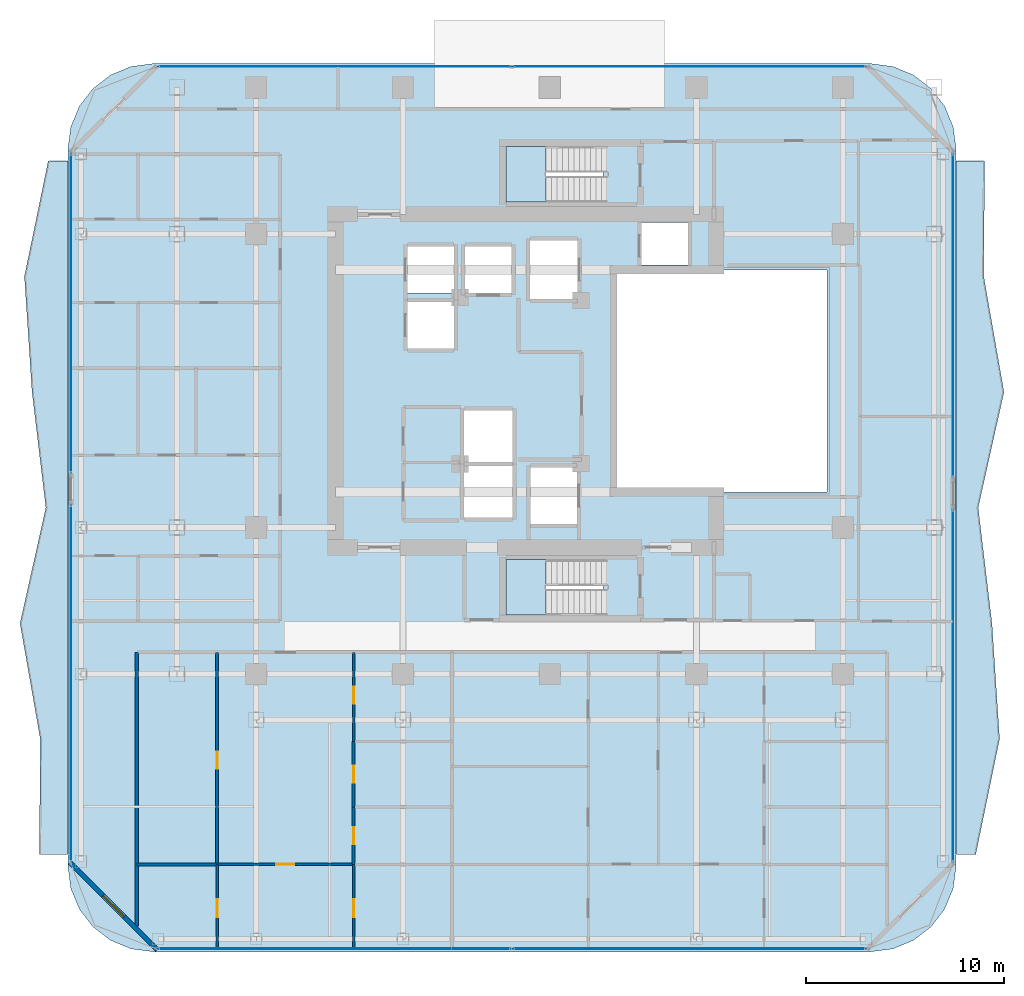
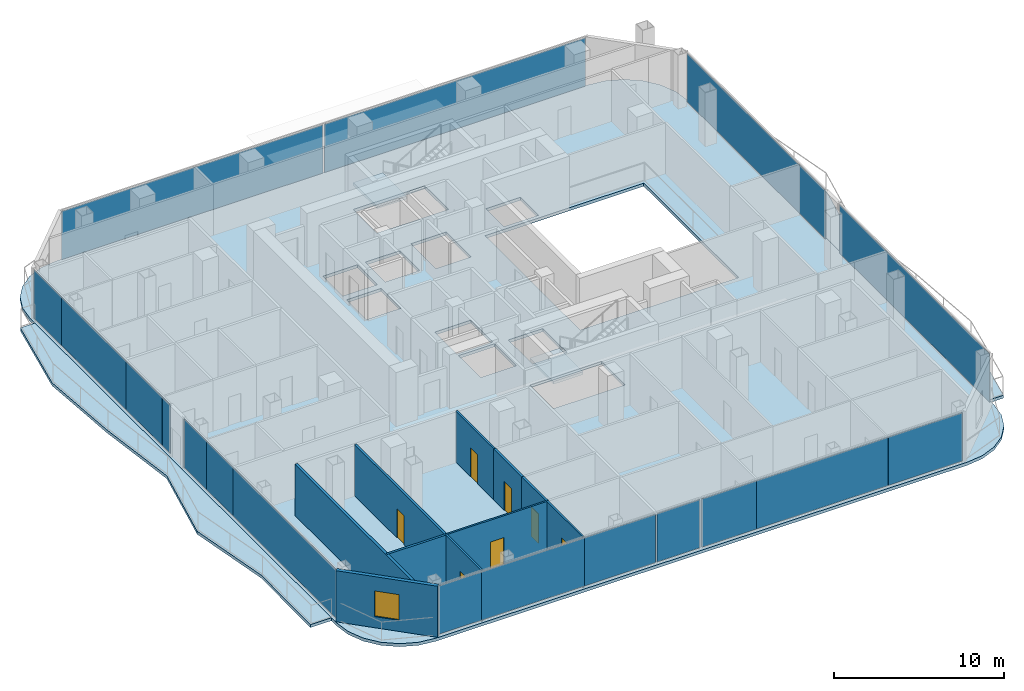
# One storey, part 16 of 23: 18 plates, 10 walls, 7 doors, 5 slabs, 1 window, 8 openings, 8 elements without a shape of their own.
"""IFC4 building model written with IfcOpenShell, lengths in metres."""

import ifcopenshell
import ifcopenshell.guid

model = None  # the IFC model being written
_history = None  # IfcOwnerHistory: only IFC2X3 demands one
_inside = {}  # id of a spatial element -> (the spatial element, [elements in it])
_under = {}  # id of a project, library or spatial element -> (it, [spatial elements below it])
_declared = {}  # id of a project -> (the project, [libraries it declares])
_typed = {}  # id of a type object -> (the type object, [elements of that type])
_made_of = {}  # id of a material, layer set ... -> (it, [elements and type objects made of it])


def new_model(schema):
    """Start an empty IFC model of exactly this schema.

    Asked for "IFC4X3", IfcOpenShell would pick the latest addendum, in which some entities
    have other attributes; the version numbers below select the first issue.
    IFC2X3 requires an IfcOwnerHistory on every rooted entity: one is made here for all.
    """
    global model, _history
    if schema == "IFC4X3":
        model = ifcopenshell.file(schema_version=(4, 3, 0, 0))
    else:
        model = ifcopenshell.file(schema=schema)
    _inside.clear()
    _under.clear()
    _declared.clear()
    _typed.clear()
    _made_of.clear()
    _history = None
    if model.schema == "IFC2X3":
        org = make("IfcOrganization", Name="unknown")
        user = make(
            "IfcPersonAndOrganization",
            ThePerson=make("IfcPerson", FamilyName="unknown"),
            TheOrganization=org,
        )
        app = make(
            "IfcApplication",
            ApplicationDeveloper=org,
            Version="unknown",
            ApplicationFullName="unknown",
            ApplicationIdentifier="unknown",
        )
        _history = make(
            "IfcOwnerHistory",
            OwningUser=user,
            OwningApplication=app,
            ChangeAction="ADDED",
            CreationDate=0,
        )
    return model


def make(cls, **values):
    """One entity of the class cls with the attributes given. An attribute that is None is left unset."""
    return model.create_entity(
        cls, **{name: value for name, value in values.items() if value is not None}
    )


def rooted(cls, **values):
    """An entity with a GlobalId (a new one), such as an element, a storey or a relation."""
    return make(cls, GlobalId=ifcopenshell.guid.new(), OwnerHistory=_history, **values)


def si_unit(unit_type, name, prefix=None):
    """IfcSIUnit, for example si_unit("LENGTHUNIT", "METRE", prefix="MILLI")."""
    return make("IfcSIUnit", UnitType=unit_type, Prefix=prefix, Name=name)


def assignment(units):
    """IfcUnitAssignment: the units of a project."""
    return None if units is None else make("IfcUnitAssignment", Units=units)


def point(xyz):
    """IfcCartesianPoint."""
    return None if xyz is None else make("IfcCartesianPoint", Coordinates=xyz)


def direction(xyz):
    """IfcDirection."""
    return None if xyz is None else make("IfcDirection", DirectionRatios=xyz)


def frame(location, z_axis=None, x_axis=None):
    """IfcAxis2Placement3D, a coordinate frame: its origin and axes. An axis left out is left unset."""
    return make(
        "IfcAxis2Placement3D",
        Location=point(location),
        Axis=direction(z_axis),
        RefDirection=direction(x_axis),
    )


def frame_2d(location, x_axis=None):
    """IfcAxis2Placement2D, a coordinate frame in the plane: its origin and x axis."""
    return make(
        "IfcAxis2Placement2D", Location=point(location), RefDirection=direction(x_axis)
    )


def origin():
    """The frame at (0, 0, 0) with its axes left unset."""
    return frame((0.0, 0.0, 0.0))


def origin_2d():
    """The frame at (0, 0) in the plane with its x axis left unset."""
    return frame_2d((0.0, 0.0))


def place(relative_to, where):
    """IfcLocalPlacement: puts the frame where relative to a parent placement (None: the world)."""
    return make(
        "IfcLocalPlacement", PlacementRelTo=relative_to, RelativePlacement=where
    )


def context(
    kind, dimensions, precision=None, world=None, true_north=None, identifier=None
):
    """IfcGeometricRepresentationContext, for example the 3D "Model" context."""
    return make(
        "IfcGeometricRepresentationContext",
        ContextIdentifier=identifier,
        ContextType=kind,
        CoordinateSpaceDimension=dimensions,
        Precision=precision,
        WorldCoordinateSystem=world,
        TrueNorth=true_north,
    )


def subcontext(parent, identifier, kind, view, scale=None):
    """IfcGeometricRepresentationSubContext, for example "Body" below "Model"."""
    return make(
        "IfcGeometricRepresentationSubContext",
        ContextIdentifier=identifier,
        ContextType=kind,
        ParentContext=parent,
        TargetScale=scale,
        TargetView=view,
    )


def project(units=None, contexts=None):
    """IfcProject with its units and contexts."""
    return rooted(
        "IfcProject",
        Name="project",
        RepresentationContexts=contexts,
        UnitsInContext=assignment(units),
    )


def spatial(cls, under=None, at=None, **own):
    """A site, building, storey or space (cls), placed at a placement, below another one or the project."""
    s = rooted(cls, ObjectPlacement=at, **own)
    if under is not None:
        _under.setdefault(under.id(), (under, []))[1].append(s)
    return s


def polyline(points):
    """IfcPolyline through the points."""
    return make("IfcPolyline", Points=[point(p) for p in points])


def profile(cls, at=None, kind="AREA", **sizes):
    """A parametric profile (cls). Its sizes go by their IFC names, for example OverallWidth=200.0."""
    return make(cls, ProfileType=kind, Position=at, **sizes)


def rectangle(**sizes):
    """IfcRectangleProfileDef."""
    return profile("IfcRectangleProfileDef", **sizes)


def outline(outer, holes=None, kind="AREA"):
    """IfcArbitraryClosedProfileDef: a profile drawn as a closed curve; with holes, ...WithVoids."""
    if holes is None:
        return make("IfcArbitraryClosedProfileDef", ProfileType=kind, OuterCurve=outer)
    return make(
        "IfcArbitraryProfileDefWithVoids",
        ProfileType=kind,
        OuterCurve=outer,
        InnerCurves=holes,
    )


def extrude(swept, where, along, depth):
    """IfcExtrudedAreaSolid: the profile swept, set in the frame where, extruded along a direction by depth."""
    return make(
        "IfcExtrudedAreaSolid",
        SweptArea=swept,
        Position=where,
        ExtrudedDirection=direction(along),
        Depth=depth,
    )


def shape(context_of_items, identifier, shape_type, items):
    """IfcShapeRepresentation: the items that make up one representation, for example the "Body"."""
    return make(
        "IfcShapeRepresentation",
        ContextOfItems=context_of_items,
        RepresentationIdentifier=identifier,
        RepresentationType=shape_type,
        Items=items,
    )


def material(Name=None, Category=None):
    """IfcMaterial."""
    return make("IfcMaterial", Name=Name, Category=Category)


def layer(
    of_material, thickness, ventilated=None, Name=None, Category=None, Priority=None
):
    """IfcMaterialLayer: one layer of a wall or slab, of a material (None: an air gap)."""
    return make(
        "IfcMaterialLayer",
        Material=of_material,
        LayerThickness=thickness,
        IsVentilated=ventilated,
        Name=Name,
        Category=Category,
        Priority=Priority,
    )


def layer_set(layers, Name=None):
    """IfcMaterialLayerSet."""
    return make("IfcMaterialLayerSet", MaterialLayers=layers, LayerSetName=Name)


def made_of(thing, what):
    """Note that an element or type object is made of a material, layer set ...; save() writes the relation."""
    if what is not None:
        _made_of.setdefault(what.id(), (what, []))[1].append(thing)
    return thing


def type_object(cls, material=None, **own):
    """A type object (cls), such as IfcWallType, which elements share."""
    return made_of(rooted(cls, **own), material)


def element(
    cls,
    number,
    at=None,
    inside=None,
    cuts=None,
    type_object=None,
    material=None,
    context=None,
    identifier="Body",
    shape_type=None,
    held_by="IfcProductDefinitionShape",
    body=None,
    shapes=None,
    **own,
):
    """One element of the class cls, such as IfcWall. Its Tag is "e" and its number.

    at: its placement. inside: the storey or other place that contains it. cuts: it is an
    opening in that element (IfcRelVoidsElement). A single representation is given by context,
    identifier, shape_type and body (its items); several are given by shapes. held_by: the class
    of the entity that holds the representations. save() writes the other relations.
    """
    e = rooted(cls, Tag="e%d" % number, ObjectPlacement=at, **own)
    if body is not None:
        shapes = [shape(context, identifier, shape_type, body)]
    if shapes is not None:
        e.Representation = make(held_by, Representations=shapes)
    if inside is not None:
        _inside.setdefault(inside.id(), (inside, []))[1].append(e)
    if cuts is not None:
        rooted(
            "IfcRelVoidsElement", RelatingBuildingElement=cuts, RelatedOpeningElement=e
        )
    if type_object is not None:
        _typed.setdefault(type_object.id(), (type_object, []))[1].append(e)
    return made_of(e, material)


def fill(opening, filler):
    """IfcRelFillsElement: the door or window that sits in an opening."""
    return rooted(
        "IfcRelFillsElement",
        RelatingOpeningElement=opening,
        RelatedBuildingElement=filler,
    )


def aggregate(whole, parts):
    """IfcRelAggregates: a whole, such as a stair, and the parts it consists of."""
    return rooted("IfcRelAggregates", RelatingObject=whole, RelatedObjects=parts)


def save(model, path):
    """Write the relations noted so far, then the file.

    IfcRelAggregates (storeys below a building ...), IfcRelContainedInSpatialStructure (elements
    in a storey), IfcRelDefinesByType, IfcRelAssociatesMaterial and IfcRelDeclares: one each for
    every whole, place, type object, material and project.
    """
    for whole, parts in _under.values():
        aggregate(whole, parts)
    for where, things in _inside.values():
        rooted(
            "IfcRelContainedInSpatialStructure",
            RelatedElements=things,
            RelatingStructure=where,
        )
    for kind, things in _typed.values():
        rooted("IfcRelDefinesByType", RelatedObjects=things, RelatingType=kind)
    for what, things in _made_of.values():
        rooted("IfcRelAssociatesMaterial", RelatedObjects=things, RelatingMaterial=what)
    for by, libraries in _declared.values():
        rooted("IfcRelDeclares", RelatingContext=by, RelatedDefinitions=libraries)
    model.write(path)


model = new_model("IFC4")

# Units and contexts
model_context = context("Model", 3, precision=1e-05, world=origin(), true_north=direction((0.0, 1.0)))
body_context = subcontext(model_context, "Body", "Model", "MODEL_VIEW")
ifc_project = project(units=[si_unit("LENGTHUNIT", "METRE"), si_unit("AREAUNIT", "SQUARE_METRE"), si_unit("VOLUMEUNIT", "CUBIC_METRE"), si_unit("PLANEANGLEUNIT", "RADIAN"), si_unit("MASSUNIT", "GRAM", prefix="KILO")], contexts=[model_context])

# Site, building, storey
site_placement = place(None, origin())
site = spatial("IfcSite", under=ifc_project, at=site_placement, CompositionType="ELEMENT")
building_placement = place(site_placement, origin())
building = spatial("IfcBuilding", under=site, at=building_placement, Name="Khorvyn Point Tower", CompositionType="ELEMENT")
storey_placement = place(building_placement, frame((0.0, 0.0, 195.300048828125)))
storey = spatial("IfcBuildingStorey", under=building, at=storey_placement, Name="L48", CompositionType="ELEMENT", Elevation=195.300048828125)

# Slabs
ifc_material_1 = material(Name="Concrete C35/45", Category="concrete")
ifc_layer_1 = layer(ifc_material_1, 0.219970703125)
ifc_layer_set_1 = layer_set([ifc_layer_1], Name="Concrete C35/45 Structural Floor Slab 220")
slab_type_1 = type_object("IfcSlabType", Name="Concrete C35/45 Structural Floor Slab 220", PredefinedType="FLOOR", material=ifc_layer_set_1)
slab_1_placement = place(storey_placement, frame((0.0, 0.0, -0.219970703125)))
element("IfcSlab", 1, at=slab_1_placement, inside=storey, type_object=slab_type_1, Name="L48 Main Structural Floor Slab", PredefinedType="FLOOR", context=body_context, shape_type="SweptSolid", body=[
    extrude(outline(polyline([(-20.0, -28.800048828125), (-21.11279296875, -28.653564453125), (-22.14990234375, -28.223876953125), (-23.04052734375, -27.54052734375), (-23.723876953125, -26.64990234375), (-24.153564453125, -25.61279296875), (-24.300048828125, -24.5), (-24.300048828125, 11.699951171875), (-24.153564453125, 12.81298828125), (-23.723876953125, 13.85009765625), (-23.04052734375, 14.740478515625), (-22.14990234375, 15.423828125), (-21.11279296875, 15.853515625), (-20.0, 16.0), (16.199951171875, 16.0), (17.31298828125, 15.853515625), (18.35009765625, 15.423828125), (19.240478515625, 14.740478515625), (19.923828125, 13.85009765625), (20.353515625, 12.81298828125), (20.5, 11.699951171875), (20.5, -24.5), (20.353515625, -25.61279296875), (19.923828125, -26.64990234375), (19.240478515625, -27.54052734375), (18.35009765625, -28.223876953125), (17.31298828125, -28.653564453125), (16.199951171875, -28.800048828125), (-20.0, -28.800048828125)]), holes=[polyline([(-1.875, -6.89990234375), (-1.875, -4.300048828125), (-4.324951171875, -4.300048828125), (-4.324951171875, -6.89990234375), (-1.875, -6.89990234375)]), polyline([(-1.875, -4.10009765625), (-1.875, -1.5), (-4.324951171875, -1.5), (-4.324951171875, -4.10009765625), (-1.875, -4.10009765625)]), polyline([(-4.824951171875, 1.625), (-4.824951171875, 3.97509765625), (-7.175048828125, 3.97509765625), (-7.175048828125, 1.625), (-4.824951171875, 1.625)]), polyline([(-7.175048828125, 4.425048828125), (-4.824951171875, 4.425048828125), (-4.824951171875, 6.77490234375), (-7.175048828125, 6.77490234375), (-7.175048828125, 4.425048828125)]), polyline([(-4.27490234375, 4.425048828125), (-1.925048828125, 4.425048828125), (-1.925048828125, 6.77490234375), (-4.27490234375, 6.77490234375), (-4.27490234375, 4.425048828125)]), polyline([(1.39990234375, 4.125), (1.39990234375, 7.074951171875), (-1.0, 7.074951171875), (-1.0, 4.125), (1.39990234375, 4.125)]), polyline([(-2.199951171875, -11.820068359375), (2.679931640625, -11.820068359375), (2.679931640625, -9.02001953125), (-2.199951171875, -9.02001953125), (-2.199951171875, -11.820068359375)]), polyline([(-0.97509765625, -7.22509765625), (1.375, -7.22509765625), (1.375, -4.375), (-0.97509765625, -4.375), (-0.97509765625, -7.22509765625)]), polyline([(14.0, -5.60009765625), (14.0, 5.60009765625), (3.199951171875, 5.60009765625), (3.199951171875, -5.60009765625), (14.0, -5.60009765625)]), polyline([(4.625, 5.85009765625), (6.97509765625, 5.85009765625), (6.97509765625, 7.97998046875), (4.625, 7.97998046875), (4.625, 5.85009765625)]), polyline([(-2.199951171875, 9.02001953125), (2.679931640625, 9.02001953125), (2.679931640625, 11.820068359375), (-2.199951171875, 11.820068359375), (-2.199951171875, 9.02001953125)])]), origin(), (0.0, 0.0, 1.0), 0.219970703125),
])
ifc_material_2 = material(Name="Concrete C40/50", Category="concrete")
ifc_layer_2 = layer(ifc_material_2, 0.2099609375)
ifc_layer_set_2 = layer_set([ifc_layer_2], Name="Concrete C40/50 Rippling Balcony Slab 210")
slab_type_2 = type_object("IfcSlabType", Name="Concrete C40/50 Rippling Balcony Slab 210", PredefinedType="USERDEFINED", material=ifc_layer_set_2)
slab_2_placement = place(storey_placement, frame((0.0, 0.0, -0.2099609375)))
element("IfcSlab", 2, at=slab_2_placement, inside=storey, type_object=slab_type_2, Name="L48 East Sinusoidal Rippling Balcony", ObjectType="BALCONY", PredefinedType="USERDEFINED", context=body_context, shape_type="SweptSolid", body=[
    extrude(outline(polyline([(20.5, -23.89990234375), (21.492431640625, -23.89990234375), (22.695556640625, -18.066650390625), (22.31201171875, -12.2333984375), (21.61474609375, -6.39990234375), (22.917724609375, -0.566650390625), (21.896728515625, 5.2666015625), (21.940185546875, 11.10009765625), (20.5, 11.10009765625), (20.5, -23.89990234375)])), origin(), (0.0, 0.0, 1.0), 0.2099609375),
])
slab_3_placement = place(storey_placement, frame((0.0, 0.0, -0.2099609375)))
element("IfcSlab", 3, at=slab_3_placement, inside=storey, type_object=slab_type_2, Name="L48 West Sinusoidal Rippling Balcony", ObjectType="BALCONY", PredefinedType="USERDEFINED", context=body_context, shape_type="SweptSolid", body=[
    extrude(outline(polyline([(-24.300048828125, 11.10009765625), (-25.29248046875, 11.10009765625), (-26.49560546875, 5.2666015625), (-26.112060546875, -0.566650390625), (-25.414794921875, -6.39990234375), (-26.7177734375, -12.2333984375), (-25.69677734375, -18.066650390625), (-25.739990234375, -23.89990234375), (-24.300048828125, -23.89990234375), (-24.300048828125, 11.10009765625)])), origin(), (0.0, 0.0, 1.0), 0.2099609375),
])

# Stair, slab
stair_type = type_object("IfcStairType", Name="Tower Concrete C40/50 Dogleg Exit Stair", PredefinedType="HALF_TURN_STAIR", material=ifc_material_2)
stair_1_placement = place(storey_placement, origin())
stair_1 = element("IfcStair", 4, at=stair_1_placement, inside=storey, type_object=stair_type, Name="L48 Tower Smokeproof Exit Stair South", PredefinedType="HALF_TURN_STAIR")
ifc_layer_3 = layer(ifc_material_2, 0.199951171875)
ifc_layer_set_3 = layer_set([ifc_layer_3], Name="Concrete C40/50 Stair Landing Slab 200")
slab_type_3 = type_object("IfcSlabType", Name="Concrete C40/50 Stair Landing Slab 200", PredefinedType="LANDING", material=ifc_layer_set_3)
slab_4_placement = place(storey_placement, frame((0.0, 0.0, 1.75)))
slab_4 = element("IfcSlab", 5, at=slab_4_placement, type_object=slab_type_3, Name="ST-01 landing 1", PredefinedType="LANDING", context=body_context, shape_type="SweptSolid", body=[
    extrude(outline(polyline([(-0.179931640625, -9.02001953125), (-2.199951171875, -9.02001953125), (-2.199951171875, -11.820068359375), (-0.179931640625, -11.820068359375), (-0.179931640625, -9.02001953125)])), origin(), (0.0, 0.0, 1.0), 0.199951171875),
])
aggregate(stair_1, [slab_4])

stair_2_placement = place(storey_placement, origin())
stair_2 = element("IfcStair", 6, at=stair_2_placement, inside=storey, type_object=stair_type, Name="L48 Tower Smokeproof Exit Stair North", PredefinedType="HALF_TURN_STAIR")
slab_5_placement = place(storey_placement, frame((0.0, 0.0, 1.75)))
slab_5 = element("IfcSlab", 7, at=slab_5_placement, type_object=slab_type_3, Name="ST-02 landing 1", PredefinedType="LANDING", context=body_context, shape_type="SweptSolid", body=[
    extrude(outline(polyline([(-0.179931640625, 11.820068359375), (-2.199951171875, 11.820068359375), (-2.199951171875, 9.02001953125), (-0.179931640625, 9.02001953125), (-0.179931640625, 11.820068359375)])), origin(), (0.0, 0.0, 1.0), 0.199951171875),
])
aggregate(stair_2, [slab_5])

# Curtain wall, plates
ifc_material_3 = material(Name="Anodised aluminium 6063-T6 and laminated Low-E glass", Category="aluminium")
ifc_layer_4 = layer(ifc_material_3, 0.18994140625)
ifc_layer_set_4 = layer_set([ifc_layer_4], Name="Stick-Built Acoustic Curtain Wall CW-SYS-03")
curtain_wall_type = type_object("IfcCurtainWallType", Name="Stick-Built Acoustic Curtain Wall CW-SYS-03", PredefinedType="NOTDEFINED", material=ifc_layer_set_4)
curtain_wall_1_placement = place(storey_placement, origin())
curtain_wall_1 = element("IfcCurtainWall", 8, at=curtain_wall_1_placement, inside=storey, type_object=curtain_wall_type, Name="Curtain Wall", PredefinedType="NOTDEFINED")
ifc_material_4 = material(Name="Laminated Low-E insulated glass", Category="glass")
ifc_layer_5 = layer(ifc_material_4, 0.028076171875)
ifc_layer_set_5 = layer_set([ifc_layer_5], Name="Tempered Low-E Vision Glazing Panel CW-GL28")
plate_type = type_object("IfcPlateType", Name="Tempered Low-E Vision Glazing Panel CW-GL28", PredefinedType="CURTAIN_PANEL", material=ifc_layer_set_5)
plate_1_placement = place(storey_placement, frame((0.0224609375, -28.64990234375, 0.099853515625), z_axis=(0.0, 0.0, 1.0), x_axis=(-1.0, 0.0, 0.0)))
plate_1 = element("IfcPlate", 9, at=plate_1_placement, type_object=plate_type, Name="Panel", PredefinedType="CURTAIN_PANEL", context=body_context, shape_type="SweptSolid", body=[
    extrude(rectangle(XDim=3.737060546875, YDim=0.028076171875, at=origin_2d()), origin(), (0.0, 0.0, 1.0), 3.47998046875),
])
plate_2_placement = place(storey_placement, frame((6.384521484375, -28.64990234375, 0.099853515625), z_axis=(0.0, 0.0, 1.0), x_axis=(-1.0, 0.0, 0.0)))
plate_2 = element("IfcPlate", 10, at=plate_2_placement, type_object=plate_type, Name="Panel", PredefinedType="CURTAIN_PANEL", context=body_context, shape_type="SweptSolid", body=[
    extrude(rectangle(XDim=8.970947265625, YDim=0.028076171875, at=origin_2d()), origin(), (0.0, 0.0, 1.0), 3.47998046875),
])
plate_3_placement = place(storey_placement, frame((13.412109375, -28.64990234375, 0.099853515625), z_axis=(0.0, 0.0, 1.0), x_axis=(-1.0, 0.0, 0.0)))
plate_3 = element("IfcPlate", 11, at=plate_3_placement, type_object=plate_type, Name="Panel", PredefinedType="CURTAIN_PANEL", context=body_context, shape_type="SweptSolid", body=[
    extrude(rectangle(XDim=5.068115234375, YDim=0.028076171875, at=origin_2d()), origin(), (0.0, 0.0, 1.0), 3.47998046875),
])
plate_4_placement = place(storey_placement, frame((-18.2919921875, -28.64990234375, 0.099853515625), z_axis=(0.0, 0.0, 1.0), x_axis=(-1.0, 0.0, 0.0)))
plate_4 = element("IfcPlate", 12, at=plate_4_placement, type_object=plate_type, Name="Panel", PredefinedType="CURTAIN_PANEL", context=body_context, shape_type="SweptSolid", body=[
    extrude(rectangle(XDim=2.907958984375, YDim=0.028076171875, at=origin_2d()), origin(), (0.0, 0.0, 1.0), 3.47998046875),
])
plate_5_placement = place(storey_placement, frame((-13.32958984375, -28.64990234375, 0.099853515625), z_axis=(0.0, 0.0, 1.0), x_axis=(-1.0, 0.0, 0.0)))
plate_5 = element("IfcPlate", 13, at=plate_5_placement, type_object=plate_type, Name="Panel", PredefinedType="CURTAIN_PANEL", context=body_context, shape_type="SweptSolid", body=[
    extrude(rectangle(XDim=7.0009765625, YDim=0.028076171875, at=origin_2d()), origin(), (0.0, 0.0, 1.0), 3.47998046875),
])
plate_6_placement = place(storey_placement, frame((-7.406005859375, -28.64990234375, 0.099853515625), z_axis=(0.0, 0.0, 1.0), x_axis=(-1.0, 0.0, 0.0)))
plate_6 = element("IfcPlate", 14, at=plate_6_placement, type_object=plate_type, Name="Panel", PredefinedType="CURTAIN_PANEL", context=body_context, shape_type="SweptSolid", body=[
    extrude(rectangle(XDim=4.830078125, YDim=0.028076171875, at=origin_2d()), origin(), (0.0, 0.0, 1.0), 3.47998046875),
])
plate_7_placement = place(storey_placement, frame((-3.408447265625, -28.64990234375, 0.099853515625), z_axis=(0.0, 0.0, 1.0), x_axis=(-1.0, 0.0, 0.0)))
plate_7 = element("IfcPlate", 15, at=plate_7_placement, type_object=plate_type, Name="Panel", PredefinedType="CURTAIN_PANEL", context=body_context, shape_type="SweptSolid", body=[
    extrude(rectangle(XDim=2.908935546875, YDim=0.028076171875, at=origin_2d()), origin(), (0.0, 0.0, 1.0), 3.47998046875),
])
aggregate(curtain_wall_1, [plate_1, plate_2, plate_3, plate_4, plate_5, plate_6, plate_7])

curtain_wall_2_placement = place(storey_placement, origin())
curtain_wall_2 = element("IfcCurtainWall", 16, at=curtain_wall_2_placement, inside=storey, type_object=curtain_wall_type, Name="Curtain Wall", PredefinedType="NOTDEFINED")
plate_8_placement = place(storey_placement, frame((-10.85009765625, 15.85009765625, 0.099853515625), z_axis=(0.0, 0.0, 1.0), x_axis=(1.0, 0.0, 0.0)))
plate_8 = element("IfcPlate", 17, at=plate_8_placement, type_object=plate_type, Name="Panel", PredefinedType="CURTAIN_PANEL", context=body_context, shape_type="SweptSolid", body=[
    extrude(rectangle(XDim=17.800048828125, YDim=0.028076171875, at=origin_2d()), origin(), (0.0, 0.0, 1.0), 3.47998046875),
])
plate_9_placement = place(storey_placement, frame((7.050048828125, 15.85009765625, 0.099853515625), z_axis=(0.0, 0.0, 1.0), x_axis=(1.0, 0.0, 0.0)))
plate_9 = element("IfcPlate", 18, at=plate_9_placement, type_object=plate_type, Name="Panel", PredefinedType="CURTAIN_PANEL", context=body_context, shape_type="SweptSolid", body=[
    extrude(rectangle(XDim=17.800048828125, YDim=0.028076171875, at=origin_2d()), origin(), (0.0, 0.0, 1.0), 3.47998046875),
])
aggregate(curtain_wall_2, [plate_8, plate_9])

curtain_wall_3_placement = place(storey_placement, origin())
curtain_wall_3 = element("IfcCurtainWall", 19, at=curtain_wall_3_placement, inside=storey, type_object=curtain_wall_type, Name="Curtain Wall", PredefinedType="NOTDEFINED")
plate_10_placement = place(storey_placement, frame((-24.14990234375, -18.155029296875, 0.099853515625), z_axis=(0.0, 0.0, 1.0), x_axis=(0.0, 1.0, 0.0)))
plate_10 = element("IfcPlate", 20, at=plate_10_placement, type_object=plate_type, Name="Panel", PredefinedType="CURTAIN_PANEL", context=body_context, shape_type="SweptSolid", body=[
    extrude(rectangle(XDim=12.181884765625, YDim=0.028076171875, at=origin_2d()), origin(), (0.0, 0.0, 1.0), 3.47998046875),
])
plate_11_placement = place(storey_placement, frame((-24.14990234375, -10.47802734375, 0.099853515625), z_axis=(0.0, 0.0, 1.0), x_axis=(0.0, 1.0, 0.0)))
plate_11 = element("IfcPlate", 21, at=plate_11_placement, type_object=plate_type, Name="Panel", PredefinedType="CURTAIN_PANEL", context=body_context, shape_type="SweptSolid", body=[
    extrude(rectangle(XDim=3.156005859375, YDim=0.028076171875, at=origin_2d()), origin(), (0.0, 0.0, 1.0), 3.47998046875),
])
plate_12_placement = place(storey_placement, frame((-24.14990234375, -7.590087890625, 0.099853515625), z_axis=(0.0, 0.0, 1.0), x_axis=(0.0, 1.0, 0.0)))
plate_12 = element("IfcPlate", 22, at=plate_12_placement, type_object=plate_type, Name="Panel", PredefinedType="CURTAIN_PANEL", context=body_context, shape_type="SweptSolid", body=[
    extrude(rectangle(XDim=2.60400390625, YDim=0.028076171875, at=origin_2d()), origin(), (0.0, 0.0, 1.0), 3.47998046875),
])
aggregate(curtain_wall_3, [plate_10, plate_11, plate_12])

curtain_wall_4_placement = place(storey_placement, origin())
curtain_wall_4 = element("IfcCurtainWall", 23, at=curtain_wall_4_placement, inside=storey, type_object=curtain_wall_type, Name="Curtain Wall", PredefinedType="NOTDEFINED")
plate_13_placement = place(storey_placement, frame((-24.14990234375, -4.16845703125, 0.099853515625), z_axis=(0.0, 0.0, 1.0), x_axis=(0.0, 1.0, 0.0)))
plate_13 = element("IfcPlate", 24, at=plate_13_placement, type_object=plate_type, Name="Panel", PredefinedType="CURTAIN_PANEL", context=body_context, shape_type="SweptSolid", body=[
    extrude(rectangle(XDim=0.943115234375, YDim=0.028076171875, at=origin_2d()), origin(), (0.0, 0.0, 1.0), 3.47998046875),
])
plate_14_placement = place(storey_placement, frame((-24.14990234375, -1.554443359375, 0.099853515625), z_axis=(0.0, 0.0, 1.0), x_axis=(0.0, 1.0, 0.0)))
plate_14 = element("IfcPlate", 25, at=plate_14_placement, type_object=plate_type, Name="Panel", PredefinedType="CURTAIN_PANEL", context=body_context, shape_type="SweptSolid", body=[
    extrude(rectangle(XDim=4.26904296875, YDim=0.028076171875, at=origin_2d()), origin(), (0.0, 0.0, 1.0), 3.47998046875),
])
plate_15_placement = place(storey_placement, frame((-24.14990234375, 4.39501953125, 0.099853515625), z_axis=(0.0, 0.0, 1.0), x_axis=(0.0, 1.0, 0.0)))
plate_15 = element("IfcPlate", 26, at=plate_15_placement, type_object=plate_type, Name="Panel", PredefinedType="CURTAIN_PANEL", context=body_context, shape_type="SweptSolid", body=[
    extrude(rectangle(XDim=7.614013671875, YDim=0.028076171875, at=origin_2d()), origin(), (0.0, 0.0, 1.0), 3.47998046875),
])
plate_16_placement = place(storey_placement, frame((-24.14990234375, 9.827880859375, 0.099853515625), z_axis=(0.0, 0.0, 1.0), x_axis=(0.0, 1.0, 0.0)))
plate_16 = element("IfcPlate", 27, at=plate_16_placement, type_object=plate_type, Name="Panel", PredefinedType="CURTAIN_PANEL", context=body_context, shape_type="SweptSolid", body=[
    extrude(rectangle(XDim=3.236083984375, YDim=0.028076171875, at=origin_2d()), origin(), (0.0, 0.0, 1.0), 3.47998046875),
])
aggregate(curtain_wall_4, [plate_13, plate_14, plate_15, plate_16])

# Curtain wall, plate
curtain_wall_5_placement = place(storey_placement, origin())
curtain_wall_5 = element("IfcCurtainWall", 28, at=curtain_wall_5_placement, inside=storey, type_object=curtain_wall_type, Name="Curtain Wall", PredefinedType="NOTDEFINED")
plate_17_placement = place(storey_placement, frame((20.35009765625, 3.2900390625, 0.099853515625), z_axis=(0.0, 0.0, 1.0), x_axis=(0.0, -1.0, 0.0)))
plate_17 = element("IfcPlate", 29, at=plate_17_placement, type_object=plate_type, Name="Panel", PredefinedType="CURTAIN_PANEL", context=body_context, shape_type="SweptSolid", body=[
    extrude(rectangle(XDim=16.320068359375, YDim=0.028076171875, at=origin_2d()), origin(), (0.0, 0.0, 1.0), 3.47998046875),
])
aggregate(curtain_wall_5, [plate_17])

curtain_wall_6_placement = place(storey_placement, origin())
curtain_wall_6 = element("IfcCurtainWall", 30, at=curtain_wall_6_placement, inside=storey, type_object=curtain_wall_type, Name="Curtain Wall", PredefinedType="NOTDEFINED")
plate_18_placement = place(storey_placement, frame((20.35009765625, -15.3798828125, 0.099853515625), z_axis=(0.0, 0.0, 1.0), x_axis=(0.0, -1.0, 0.0)))
plate_18 = element("IfcPlate", 31, at=plate_18_placement, type_object=plate_type, Name="Panel", PredefinedType="CURTAIN_PANEL", context=body_context, shape_type="SweptSolid", body=[
    extrude(rectangle(XDim=17.739990234375, YDim=0.028076171875, at=origin_2d()), origin(), (0.0, 0.0, 1.0), 3.47998046875),
])
aggregate(curtain_wall_6, [plate_18])

# Wall
ifc_material_5 = material(Name="Double acoustic gypsum on twin steel stud", Category="steel")
ifc_layer_6 = layer(ifc_material_5, 0.179931640625)
ifc_layer_set_6 = layer_set([ifc_layer_6], Name="Acoustic Double-Stud Apartment Demising Wall 180")
wall_type_1 = type_object("IfcWallType", Name="Acoustic Double-Stud Apartment Demising Wall 180", PredefinedType="PARTITIONING", material=ifc_layer_set_6)
wall_1_placement = place(storey_placement, frame((-20.820068359375, -27.510009765625, 0.0), z_axis=(0.0, 0.0, 1.0), x_axis=(0.0, 1.0, 0.0)))
element("IfcWall", 32, at=wall_1_placement, inside=storey, type_object=wall_type_1, Name="Wall", PredefinedType="PARTITIONING", context=body_context, shape_type="SweptSolid", body=[
    extrude(rectangle(XDim=13.81005859375, YDim=0.179931640625, at=frame_2d((6.905029296875, 0.0))), origin(), (0.0, 0.0, 1.0), 3.679931640625),
])

# Wall, opening, window
ifc_material_6 = material(Name="Pale anodised aluminium rainscreen on steel stud", Category="steel")
ifc_layer_7 = layer(ifc_material_6, 0.239990234375)
ifc_layer_set_7 = layer_set([ifc_layer_7], Name="Anodised Aluminium Insulated Corner Spandrel Wall 240")
wall_type_2 = type_object("IfcWallType", Name="Anodised Aluminium Insulated Corner Spandrel Wall 240", PredefinedType="SOLIDWALL", material=ifc_layer_set_7)
wall_2_placement = place(storey_placement, frame((-19.8076171875, -28.6923828125, 0.0), z_axis=(0.0, 0.0, 1.0), x_axis=(-0.707106781187, 0.707106781187, 0.0)))
wall_2 = element("IfcWall", 33, at=wall_2_placement, inside=storey, type_object=wall_type_2, Name="L48 Rounded Corner Wall SW", PredefinedType="SOLIDWALL", context=body_context, shape_type="SweptSolid", body=[
    extrude(rectangle(XDim=6.200927734375, YDim=0.239990234375, at=frame_2d((3.1005859375, 0.0))), origin(), (0.0, 0.0, 1.0), 3.679931640625),
])
opening_1_placement = place(wall_2_placement, frame((2.3505859375, 0.0, 0.800048828125)))
opening_1 = element("IfcOpeningElement", 34, at=opening_1_placement, cuts=wall_2, Name="Opening WN-1518", PredefinedType="OPENING", context=body_context, shape_type="SweptSolid", body=[
    extrude(rectangle(XDim=1.5, YDim=1.85009765625, at=frame_2d((0.75, 0.925048828125))), frame((0.0, 0.1298828125, 0.0), z_axis=(0.0, -1.0, 0.0), x_axis=(1.0, 0.0, 0.0)), (0.0, 0.0, 1.0), 0.260009765625),
])
window_type = type_object("IfcWindowType", Name="Anodised Aluminium Rounded-Corner Panoramic Window 1500x1850", PartitioningType="SINGLE_PANEL", PredefinedType="WINDOW", material=ifc_material_3)
window_placement = place(opening_1_placement, origin())
window = element("IfcWindow", 35, at=window_placement, inside=storey, type_object=window_type, Name="L48 Corner Panoramic Window SW", OverallHeight=1.85009765625, OverallWidth=1.5, PartitioningType="SINGLE_PANEL", PredefinedType="WINDOW", context=body_context, shape_type="SweptSolid", body=[
    extrude(rectangle(XDim=1.5, YDim=1.85009765625, at=frame_2d((0.75, 0.925048828125))), frame((0.0, 0.030029296875, 0.0), z_axis=(0.0, -1.0, 0.0), x_axis=(1.0, 0.0, 0.0)), (0.0, 0.0, 1.0), 0.06005859375),
])
fill(opening_1, window)

# Wall, opening, door
ifc_material_7 = material(Name="Gypsum plasterboard on steel stud", Category="steel")
ifc_layer_8 = layer(ifc_material_7, 0.1201171875)
ifc_layer_set_8 = layer_set([ifc_layer_8], Name="Gypsum Acoustic Stud Room Partition Wall 120")
wall_type_3 = type_object("IfcWallType", Name="Gypsum Acoustic Stud Room Partition Wall 120", PredefinedType="PARTITIONING", material=ifc_layer_set_8)
wall_3_placement = place(storey_placement, frame((-16.77392578125, -24.389892578125, 0.0), z_axis=(0.0, 0.0, 1.0), x_axis=(1.0, 0.0, 0.0)))
wall_3 = element("IfcWall", 36, at=wall_3_placement, inside=storey, type_object=wall_type_3, Name="Wall", PredefinedType="PARTITIONING", context=body_context, shape_type="SweptSolid", body=[
    extrude(rectangle(XDim=6.888916015625, YDim=0.1201171875, at=frame_2d((3.4443359375, 0.0))), origin(), (0.0, 0.0, 1.0), 3.679931640625),
])
opening_2_placement = place(wall_3_placement, frame((2.994384765625, 0.0, 0.0)))
opening_2 = element("IfcOpeningElement", 37, at=opening_2_placement, cuts=wall_3, Name="Opening ID-RM90", PredefinedType="OPENING", context=body_context, shape_type="SweptSolid", body=[
    extrude(rectangle(XDim=0.89990234375, YDim=2.10009765625, at=frame_2d((0.449951171875, 1.050048828125))), frame((0.0, 0.070068359375, 0.0), z_axis=(0.0, -1.0, 0.0), x_axis=(1.0, 0.0, 0.0)), (0.0, 0.0, 1.0), 0.14013671875),
])
ifc_material_8 = material(Name="Engineered oak veneer timber", Category="wood")
door_type_1 = type_object("IfcDoorType", Name="Flush Engineered Timber Room Door 900x2100", OperationType="NOTDEFINED", PredefinedType="DOOR", material=ifc_material_8)
door_1_placement = place(opening_2_placement, origin())
door_1 = element("IfcDoor", 38, at=door_1_placement, inside=storey, type_object=door_type_1, Name="Door", OperationType="SINGLE_SWING_RIGHT", OverallHeight=2.10009765625, OverallWidth=0.89990234375, PredefinedType="DOOR", context=body_context, shape_type="SweptSolid", body=[
    extrude(rectangle(XDim=0.89990234375, YDim=2.10009765625, at=frame_2d((0.449951171875, 1.050048828125))), frame((0.0, 0.02490234375, 0.0), z_axis=(0.0, -1.0, 0.0), x_axis=(1.0, 0.0, 0.0)), (0.0, 0.0, 1.0), 0.050048828125),
])
fill(opening_2, door_1)

wall_4_placement = place(storey_placement, frame((-16.77392578125, -28.6298828125, 0.0), z_axis=(0.0, 0.0, 1.0), x_axis=(0.0, 1.0, 0.0)))
wall_4 = element("IfcWall", 39, at=wall_4_placement, inside=storey, type_object=wall_type_3, Name="Wall", PredefinedType="PARTITIONING", context=body_context, shape_type="SweptSolid", body=[
    extrude(rectangle(XDim=4.239990234375, YDim=0.1201171875, at=frame_2d((2.1201171875, 0.0))), origin(), (0.0, 0.0, 1.0), 3.679931640625),
])
opening_3_placement = place(wall_4_placement, frame((1.581298828125, 0.0, 0.0)))
opening_3 = element("IfcOpeningElement", 40, at=opening_3_placement, cuts=wall_4, Name="Opening ID-RM90", PredefinedType="OPENING", context=body_context, shape_type="SweptSolid", body=[
    extrude(rectangle(XDim=0.89990234375, YDim=2.10009765625, at=frame_2d((0.449951171875, 1.050048828125))), frame((0.0, 0.070068359375, 0.0), z_axis=(0.0, -1.0, 0.0), x_axis=(1.0, 0.0, 0.0)), (0.0, 0.0, 1.0), 0.14013671875),
])
door_2_placement = place(opening_3_placement, origin())
door_2 = element("IfcDoor", 41, at=door_2_placement, inside=storey, type_object=door_type_1, Name="Door", OperationType="SINGLE_SWING_RIGHT", OverallHeight=2.10009765625, OverallWidth=0.89990234375, PredefinedType="DOOR", context=body_context, shape_type="SweptSolid", body=[
    extrude(rectangle(XDim=0.89990234375, YDim=2.10009765625, at=frame_2d((0.449951171875, 1.050048828125))), frame((0.0, 0.02490234375, 0.0), z_axis=(0.0, -1.0, 0.0), x_axis=(1.0, 0.0, 0.0)), (0.0, 0.0, 1.0), 0.050048828125),
])
fill(opening_3, door_2)

wall_5_placement = place(storey_placement, frame((-9.885009765625, -18.18994140625, 0.0), z_axis=(0.0, 0.0, 1.0), x_axis=(0.0, 1.0, 0.0)))
wall_5 = element("IfcWall", 42, at=wall_5_placement, inside=storey, type_object=wall_type_3, Name="Wall", PredefinedType="PARTITIONING", context=body_context, shape_type="SweptSolid", body=[
    extrude(rectangle(XDim=4.489990234375, YDim=0.1201171875, at=frame_2d((2.2451171875, 0.0))), origin(), (0.0, 0.0, 1.0), 3.679931640625),
])
opening_4_placement = place(wall_5_placement, frame((1.907470703125, 0.0, 0.0)))
opening_4 = element("IfcOpeningElement", 43, at=opening_4_placement, cuts=wall_5, Name="Opening ID-WC85", PredefinedType="OPENING", context=body_context, shape_type="SweptSolid", body=[
    extrude(rectangle(XDim=0.85009765625, YDim=2.10009765625, at=frame_2d((0.425048828125, 1.050048828125))), frame((0.0, 0.070068359375, 0.0), z_axis=(0.0, -1.0, 0.0), x_axis=(1.0, 0.0, 0.0)), (0.0, 0.0, 1.0), 0.14013671875),
])
ifc_material_9 = material(Name="High-pressure laminate on moisture-resistant core", Category="wood")
door_type_2 = type_object("IfcDoorType", Name="Moisture-Resistant Accessible Washroom Door 850x2100", OperationType="NOTDEFINED", PredefinedType="DOOR", material=ifc_material_9)
door_3_placement = place(opening_4_placement, origin())
door_3 = element("IfcDoor", 44, at=door_3_placement, inside=storey, type_object=door_type_2, Name="Door", OperationType="SINGLE_SWING_LEFT", OverallHeight=2.10009765625, OverallWidth=0.85009765625, PredefinedType="DOOR", context=body_context, shape_type="SweptSolid", body=[
    extrude(rectangle(XDim=0.85009765625, YDim=2.10009765625, at=frame_2d((0.425048828125, 1.050048828125))), frame((0.0, 0.02490234375, 0.0), z_axis=(0.0, -1.0, 0.0), x_axis=(1.0, 0.0, 0.0)), (0.0, 0.0, 1.0), 0.050048828125),
])
fill(opening_4, door_3)

wall_6_placement = place(storey_placement, frame((-9.885009765625, -28.6298828125, 0.0), z_axis=(0.0, 0.0, 1.0), x_axis=(0.0, 1.0, 0.0)))
wall_6 = element("IfcWall", 45, at=wall_6_placement, inside=storey, type_object=wall_type_3, Name="Wall", PredefinedType="PARTITIONING", context=body_context, shape_type="SweptSolid", body=[
    extrude(rectangle(XDim=4.239990234375, YDim=0.1201171875, at=frame_2d((2.1201171875, 0.0))), origin(), (0.0, 0.0, 1.0), 3.679931640625),
])
opening_5_placement = place(wall_6_placement, frame((1.581298828125, 0.0, 0.0)))
opening_5 = element("IfcOpeningElement", 46, at=opening_5_placement, cuts=wall_6, Name="Opening ID-RM90", PredefinedType="OPENING", context=body_context, shape_type="SweptSolid", body=[
    extrude(rectangle(XDim=0.89990234375, YDim=2.10009765625, at=frame_2d((0.449951171875, 1.050048828125))), frame((0.0, 0.070068359375, 0.0), z_axis=(0.0, -1.0, 0.0), x_axis=(1.0, 0.0, 0.0)), (0.0, 0.0, 1.0), 0.14013671875),
])
door_4_placement = place(opening_5_placement, origin())
door_4 = element("IfcDoor", 47, at=door_4_placement, inside=storey, type_object=door_type_1, Name="Door", OperationType="SINGLE_SWING_RIGHT", OverallHeight=2.10009765625, OverallWidth=0.89990234375, PredefinedType="DOOR", context=body_context, shape_type="SweptSolid", body=[
    extrude(rectangle(XDim=0.89990234375, YDim=2.10009765625, at=frame_2d((0.449951171875, 1.050048828125))), frame((0.0, 0.02490234375, 0.0), z_axis=(0.0, -1.0, 0.0), x_axis=(1.0, 0.0, 0.0)), (0.0, 0.0, 1.0), 0.050048828125),
])
fill(opening_5, door_4)

ifc_material_10 = material(Name="Moisture-resistant gypsum and cement board", Category="gypsum")
ifc_layer_9 = layer(ifc_material_10, 0.14990234375)
ifc_layer_set_9 = layer_set([ifc_layer_9], Name="Moisture-Resistant Wet-Room Partition Wall 150")
wall_type_4 = type_object("IfcWallType", Name="Moisture-Resistant Wet-Room Partition Wall 150", PredefinedType="PARTITIONING", material=ifc_layer_set_9)
wall_7_placement = place(storey_placement, frame((-16.77392578125, -24.389892578125, 0.0), z_axis=(0.0, 0.0, 1.0), x_axis=(0.0, 1.0, 0.0)))
wall_7 = element("IfcWall", 48, at=wall_7_placement, inside=storey, type_object=wall_type_4, Name="Wall", PredefinedType="PARTITIONING", context=body_context, shape_type="SweptSolid", body=[
    extrude(rectangle(XDim=10.68994140625, YDim=0.14990234375, at=frame_2d((5.344970703125, 0.0))), origin(), (0.0, 0.0, 1.0), 3.679931640625),
])
opening_6_placement = place(wall_7_placement, frame((4.830078125, 0.0, 0.0)))
opening_6 = element("IfcOpeningElement", 49, at=opening_6_placement, cuts=wall_7, Name="Opening ID-WC85", PredefinedType="OPENING", context=body_context, shape_type="SweptSolid", body=[
    extrude(rectangle(XDim=0.85009765625, YDim=2.10009765625, at=frame_2d((0.425048828125, 1.050048828125))), frame((0.0, 0.0849609375, 0.0), z_axis=(0.0, -1.0, 0.0), x_axis=(1.0, 0.0, 0.0)), (0.0, 0.0, 1.0), 0.169921875),
])
door_5_placement = place(opening_6_placement, origin())
door_5 = element("IfcDoor", 50, at=door_5_placement, inside=storey, type_object=door_type_2, Name="Door", OperationType="SINGLE_SWING_LEFT", OverallHeight=2.10009765625, OverallWidth=0.85009765625, PredefinedType="DOOR", context=body_context, shape_type="SweptSolid", body=[
    extrude(rectangle(XDim=0.85009765625, YDim=2.10009765625, at=frame_2d((0.425048828125, 1.050048828125))), frame((0.0, 0.02490234375, 0.0), z_axis=(0.0, -1.0, 0.0), x_axis=(1.0, 0.0, 0.0)), (0.0, 0.0, 1.0), 0.050048828125),
])
fill(opening_6, door_5)

wall_8_placement = place(storey_placement, frame((-9.885009765625, -24.389892578125, 0.0), z_axis=(0.0, 0.0, 1.0), x_axis=(0.0, 1.0, 0.0)))
wall_8 = element("IfcWall", 51, at=wall_8_placement, inside=storey, type_object=wall_type_4, Name="Wall", PredefinedType="PARTITIONING", context=body_context, shape_type="SweptSolid", body=[
    extrude(rectangle(XDim=2.885986328125, YDim=0.14990234375, at=frame_2d((1.44287109375, 0.0))), origin(), (0.0, 0.0, 1.0), 3.679931640625),
])
opening_7_placement = place(wall_8_placement, frame((1.01806640625, 0.0, 0.0)))
opening_7 = element("IfcOpeningElement", 52, at=opening_7_placement, cuts=wall_8, Name="Opening ID-WC85", PredefinedType="OPENING", context=body_context, shape_type="SweptSolid", body=[
    extrude(rectangle(XDim=0.85009765625, YDim=2.10009765625, at=frame_2d((0.425048828125, 1.050048828125))), frame((0.0, 0.0849609375, 0.0), z_axis=(0.0, -1.0, 0.0), x_axis=(1.0, 0.0, 0.0)), (0.0, 0.0, 1.0), 0.169921875),
])
door_6_placement = place(opening_7_placement, origin())
door_6 = element("IfcDoor", 53, at=door_6_placement, inside=storey, type_object=door_type_2, Name="Door", OperationType="SINGLE_SWING_LEFT", OverallHeight=2.10009765625, OverallWidth=0.85009765625, PredefinedType="DOOR", context=body_context, shape_type="SweptSolid", body=[
    extrude(rectangle(XDim=0.85009765625, YDim=2.10009765625, at=frame_2d((0.425048828125, 1.050048828125))), frame((0.0, 0.02490234375, 0.0), z_axis=(0.0, -1.0, 0.0), x_axis=(1.0, 0.0, 0.0)), (0.0, 0.0, 1.0), 0.050048828125),
])
fill(opening_7, door_6)

wall_9_placement = place(storey_placement, frame((-9.885009765625, -21.50390625, 0.0), z_axis=(0.0, 0.0, 1.0), x_axis=(0.0, 1.0, 0.0)))
wall_9 = element("IfcWall", 54, at=wall_9_placement, inside=storey, type_object=wall_type_4, Name="Wall", PredefinedType="PARTITIONING", context=body_context, shape_type="SweptSolid", body=[
    extrude(rectangle(XDim=3.31396484375, YDim=0.14990234375, at=frame_2d((1.656982421875, 0.0))), origin(), (0.0, 0.0, 1.0), 3.679931640625),
])
opening_8_placement = place(wall_9_placement, frame((1.23193359375, 0.0, 0.0)))
opening_8 = element("IfcOpeningElement", 55, at=opening_8_placement, cuts=wall_9, Name="Opening ID-WC85", PredefinedType="OPENING", context=body_context, shape_type="SweptSolid", body=[
    extrude(rectangle(XDim=0.85009765625, YDim=2.10009765625, at=frame_2d((0.425048828125, 1.050048828125))), frame((0.0, 0.0849609375, 0.0), z_axis=(0.0, -1.0, 0.0), x_axis=(1.0, 0.0, 0.0)), (0.0, 0.0, 1.0), 0.169921875),
])
door_7_placement = place(opening_8_placement, origin())
door_7 = element("IfcDoor", 56, at=door_7_placement, inside=storey, type_object=door_type_2, Name="Door", OperationType="SINGLE_SWING_RIGHT", OverallHeight=2.10009765625, OverallWidth=0.85009765625, PredefinedType="DOOR", context=body_context, shape_type="SweptSolid", body=[
    extrude(rectangle(XDim=0.85009765625, YDim=2.10009765625, at=frame_2d((0.425048828125, 1.050048828125))), frame((0.0, 0.02490234375, 0.0), z_axis=(0.0, -1.0, 0.0), x_axis=(1.0, 0.0, 0.0)), (0.0, 0.0, 1.0), 0.050048828125),
])
fill(opening_8, door_7)

# Wall
wall_10_placement = place(storey_placement, frame((-20.820068359375, -24.389892578125, 0.0), z_axis=(0.0, 0.0, 1.0), x_axis=(1.0, 0.0, 0.0)))
element("IfcWall", 57, at=wall_10_placement, inside=storey, type_object=wall_type_4, Name="Wall", PredefinedType="PARTITIONING", context=body_context, shape_type="SweptSolid", body=[
    extrude(rectangle(XDim=4.046142578125, YDim=0.14990234375, at=frame_2d((2.02294921875, 0.0))), origin(), (0.0, 0.0, 1.0), 3.679931640625),
])

save(model, "model.ifc")
